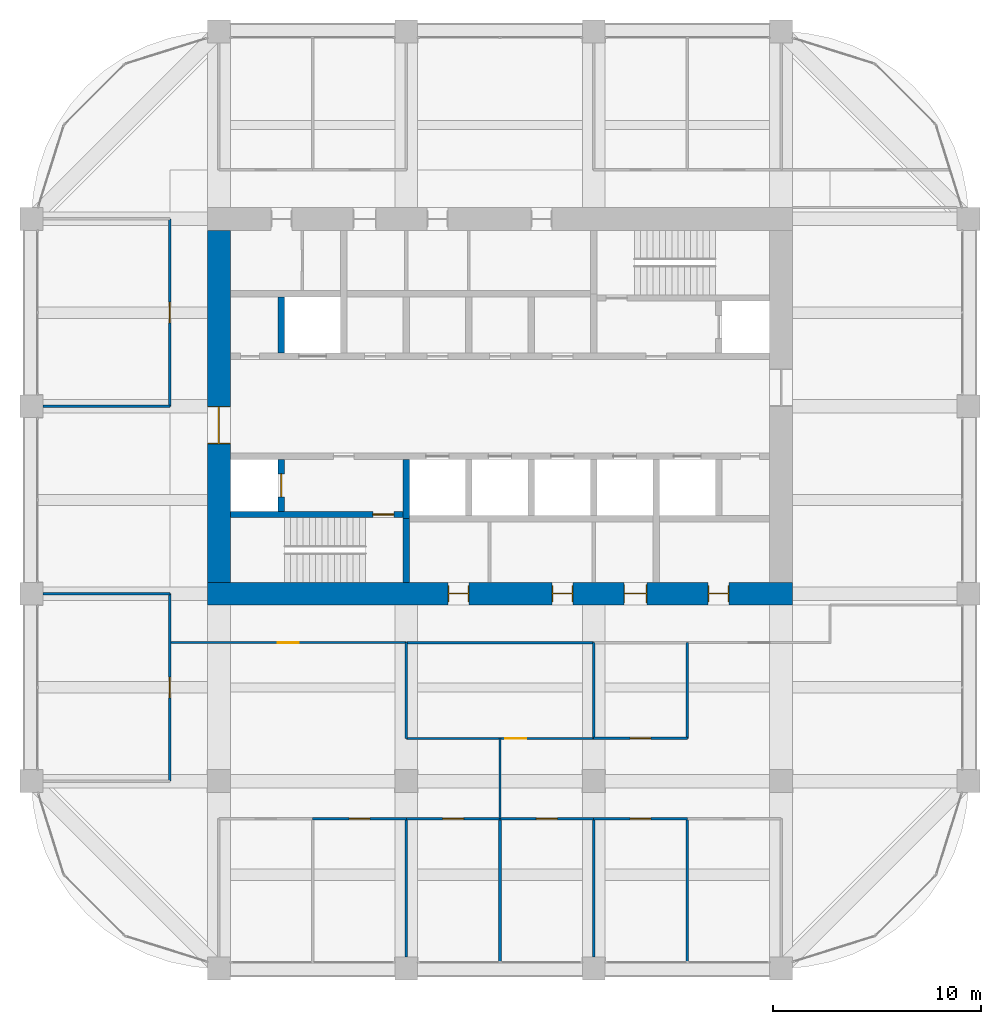
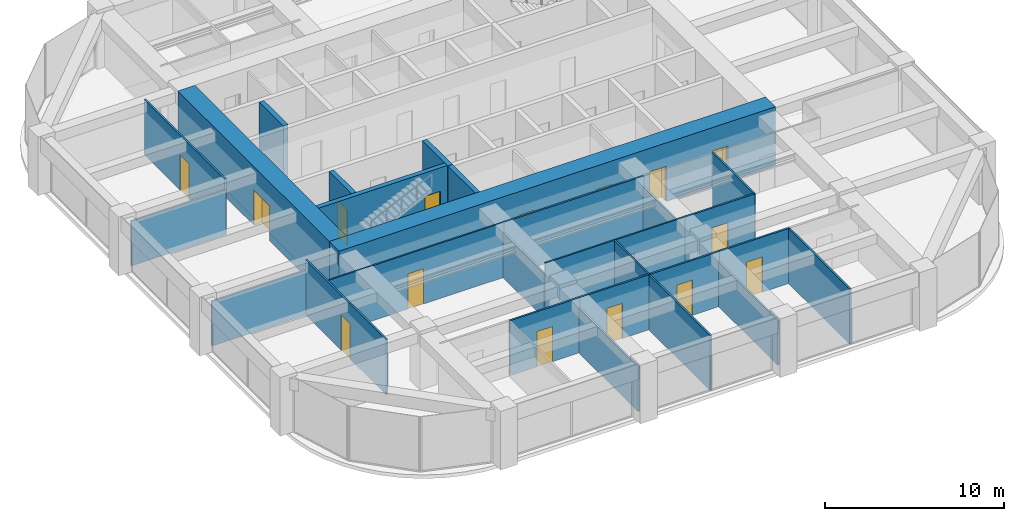
# One storey, part 41 of 44: 27 walls, 16 doors, 16 openings.
"""IFC4 building model written with IfcOpenShell, lengths in metres."""

import ifcopenshell
import ifcopenshell.guid

model = None  # the IFC model being written
_history = None  # IfcOwnerHistory: only IFC2X3 demands one
_inside = {}  # id of a spatial element -> (the spatial element, [elements in it])
_under = {}  # id of a project, library or spatial element -> (it, [spatial elements below it])
_declared = {}  # id of a project -> (the project, [libraries it declares])
_typed = {}  # id of a type object -> (the type object, [elements of that type])
_made_of = {}  # id of a material, layer set ... -> (it, [elements and type objects made of it])


def new_model(schema):
    """Start an empty IFC model of exactly this schema.

    Asked for "IFC4X3", IfcOpenShell would pick the latest addendum, in which some entities
    have other attributes; the version numbers below select the first issue.
    IFC2X3 requires an IfcOwnerHistory on every rooted entity: one is made here for all.
    """
    global model, _history
    if schema == "IFC4X3":
        model = ifcopenshell.file(schema_version=(4, 3, 0, 0))
    else:
        model = ifcopenshell.file(schema=schema)
    _inside.clear()
    _under.clear()
    _declared.clear()
    _typed.clear()
    _made_of.clear()
    _history = None
    if model.schema == "IFC2X3":
        org = make("IfcOrganization", Name="unknown")
        user = make(
            "IfcPersonAndOrganization",
            ThePerson=make("IfcPerson", FamilyName="unknown"),
            TheOrganization=org,
        )
        app = make(
            "IfcApplication",
            ApplicationDeveloper=org,
            Version="unknown",
            ApplicationFullName="unknown",
            ApplicationIdentifier="unknown",
        )
        _history = make(
            "IfcOwnerHistory",
            OwningUser=user,
            OwningApplication=app,
            ChangeAction="ADDED",
            CreationDate=0,
        )
    return model


def make(cls, **values):
    """One entity of the class cls with the attributes given. An attribute that is None is left unset."""
    return model.create_entity(
        cls, **{name: value for name, value in values.items() if value is not None}
    )


def rooted(cls, **values):
    """An entity with a GlobalId (a new one), such as an element, a storey or a relation."""
    return make(cls, GlobalId=ifcopenshell.guid.new(), OwnerHistory=_history, **values)


def si_unit(unit_type, name, prefix=None):
    """IfcSIUnit, for example si_unit("LENGTHUNIT", "METRE", prefix="MILLI")."""
    return make("IfcSIUnit", UnitType=unit_type, Prefix=prefix, Name=name)


def assignment(units):
    """IfcUnitAssignment: the units of a project."""
    return None if units is None else make("IfcUnitAssignment", Units=units)


def point(xyz):
    """IfcCartesianPoint."""
    return None if xyz is None else make("IfcCartesianPoint", Coordinates=xyz)


def direction(xyz):
    """IfcDirection."""
    return None if xyz is None else make("IfcDirection", DirectionRatios=xyz)


def frame(location, z_axis=None, x_axis=None):
    """IfcAxis2Placement3D, a coordinate frame: its origin and axes. An axis left out is left unset."""
    return make(
        "IfcAxis2Placement3D",
        Location=point(location),
        Axis=direction(z_axis),
        RefDirection=direction(x_axis),
    )


def frame_2d(location, x_axis=None):
    """IfcAxis2Placement2D, a coordinate frame in the plane: its origin and x axis."""
    return make(
        "IfcAxis2Placement2D", Location=point(location), RefDirection=direction(x_axis)
    )


def origin():
    """The frame at (0, 0, 0) with its axes left unset."""
    return frame((0.0, 0.0, 0.0))


def place(relative_to, where):
    """IfcLocalPlacement: puts the frame where relative to a parent placement (None: the world)."""
    return make(
        "IfcLocalPlacement", PlacementRelTo=relative_to, RelativePlacement=where
    )


def context(
    kind, dimensions, precision=None, world=None, true_north=None, identifier=None
):
    """IfcGeometricRepresentationContext, for example the 3D "Model" context."""
    return make(
        "IfcGeometricRepresentationContext",
        ContextIdentifier=identifier,
        ContextType=kind,
        CoordinateSpaceDimension=dimensions,
        Precision=precision,
        WorldCoordinateSystem=world,
        TrueNorth=true_north,
    )


def subcontext(parent, identifier, kind, view, scale=None):
    """IfcGeometricRepresentationSubContext, for example "Body" below "Model"."""
    return make(
        "IfcGeometricRepresentationSubContext",
        ContextIdentifier=identifier,
        ContextType=kind,
        ParentContext=parent,
        TargetScale=scale,
        TargetView=view,
    )


def project(units=None, contexts=None):
    """IfcProject with its units and contexts."""
    return rooted(
        "IfcProject",
        Name="project",
        RepresentationContexts=contexts,
        UnitsInContext=assignment(units),
    )


def spatial(cls, under=None, at=None, **own):
    """A site, building, storey or space (cls), placed at a placement, below another one or the project."""
    s = rooted(cls, ObjectPlacement=at, **own)
    if under is not None:
        _under.setdefault(under.id(), (under, []))[1].append(s)
    return s


def profile(cls, at=None, kind="AREA", **sizes):
    """A parametric profile (cls). Its sizes go by their IFC names, for example OverallWidth=200.0."""
    return make(cls, ProfileType=kind, Position=at, **sizes)


def rectangle(**sizes):
    """IfcRectangleProfileDef."""
    return profile("IfcRectangleProfileDef", **sizes)


def extrude(swept, where, along, depth):
    """IfcExtrudedAreaSolid: the profile swept, set in the frame where, extruded along a direction by depth."""
    return make(
        "IfcExtrudedAreaSolid",
        SweptArea=swept,
        Position=where,
        ExtrudedDirection=direction(along),
        Depth=depth,
    )


def shape(context_of_items, identifier, shape_type, items):
    """IfcShapeRepresentation: the items that make up one representation, for example the "Body"."""
    return make(
        "IfcShapeRepresentation",
        ContextOfItems=context_of_items,
        RepresentationIdentifier=identifier,
        RepresentationType=shape_type,
        Items=items,
    )


def material(Name=None, Category=None):
    """IfcMaterial."""
    return make("IfcMaterial", Name=Name, Category=Category)


def layer(
    of_material, thickness, ventilated=None, Name=None, Category=None, Priority=None
):
    """IfcMaterialLayer: one layer of a wall or slab, of a material (None: an air gap)."""
    return make(
        "IfcMaterialLayer",
        Material=of_material,
        LayerThickness=thickness,
        IsVentilated=ventilated,
        Name=Name,
        Category=Category,
        Priority=Priority,
    )


def layer_set(layers, Name=None):
    """IfcMaterialLayerSet."""
    return make("IfcMaterialLayerSet", MaterialLayers=layers, LayerSetName=Name)


def made_of(thing, what):
    """Note that an element or type object is made of a material, layer set ...; save() writes the relation."""
    if what is not None:
        _made_of.setdefault(what.id(), (what, []))[1].append(thing)
    return thing


def type_object(cls, material=None, **own):
    """A type object (cls), such as IfcWallType, which elements share."""
    return made_of(rooted(cls, **own), material)


def element(
    cls,
    number,
    at=None,
    inside=None,
    cuts=None,
    type_object=None,
    material=None,
    context=None,
    identifier="Body",
    shape_type=None,
    held_by="IfcProductDefinitionShape",
    body=None,
    shapes=None,
    **own,
):
    """One element of the class cls, such as IfcWall. Its Tag is "e" and its number.

    at: its placement. inside: the storey or other place that contains it. cuts: it is an
    opening in that element (IfcRelVoidsElement). A single representation is given by context,
    identifier, shape_type and body (its items); several are given by shapes. held_by: the class
    of the entity that holds the representations. save() writes the other relations.
    """
    e = rooted(cls, Tag="e%d" % number, ObjectPlacement=at, **own)
    if body is not None:
        shapes = [shape(context, identifier, shape_type, body)]
    if shapes is not None:
        e.Representation = make(held_by, Representations=shapes)
    if inside is not None:
        _inside.setdefault(inside.id(), (inside, []))[1].append(e)
    if cuts is not None:
        rooted(
            "IfcRelVoidsElement", RelatingBuildingElement=cuts, RelatedOpeningElement=e
        )
    if type_object is not None:
        _typed.setdefault(type_object.id(), (type_object, []))[1].append(e)
    return made_of(e, material)


def fill(opening, filler):
    """IfcRelFillsElement: the door or window that sits in an opening."""
    return rooted(
        "IfcRelFillsElement",
        RelatingOpeningElement=opening,
        RelatedBuildingElement=filler,
    )


def aggregate(whole, parts):
    """IfcRelAggregates: a whole, such as a stair, and the parts it consists of."""
    return rooted("IfcRelAggregates", RelatingObject=whole, RelatedObjects=parts)


def save(model, path):
    """Write the relations noted so far, then the file.

    IfcRelAggregates (storeys below a building ...), IfcRelContainedInSpatialStructure (elements
    in a storey), IfcRelDefinesByType, IfcRelAssociatesMaterial and IfcRelDeclares: one each for
    every whole, place, type object, material and project.
    """
    for whole, parts in _under.values():
        aggregate(whole, parts)
    for where, things in _inside.values():
        rooted(
            "IfcRelContainedInSpatialStructure",
            RelatedElements=things,
            RelatingStructure=where,
        )
    for kind, things in _typed.values():
        rooted("IfcRelDefinesByType", RelatedObjects=things, RelatingType=kind)
    for what, things in _made_of.values():
        rooted("IfcRelAssociatesMaterial", RelatedObjects=things, RelatingMaterial=what)
    for by, libraries in _declared.values():
        rooted("IfcRelDeclares", RelatingContext=by, RelatedDefinitions=libraries)
    model.write(path)


model = new_model("IFC4")

# Units and contexts
model_context = context("Model", 3, precision=1e-05, world=origin(), true_north=direction((0.0, 1.0)))
body_context = subcontext(model_context, "Body", "Model", "MODEL_VIEW")
ifc_project = project(units=[si_unit("LENGTHUNIT", "METRE"), si_unit("AREAUNIT", "SQUARE_METRE"), si_unit("VOLUMEUNIT", "CUBIC_METRE"), si_unit("PLANEANGLEUNIT", "RADIAN"), si_unit("MASSUNIT", "GRAM", prefix="KILO")], contexts=[model_context])

# Site, building, storey
site_placement = place(None, origin())
site = spatial("IfcSite", under=ifc_project, at=site_placement, CompositionType="ELEMENT")
building_placement = place(site_placement, origin())
building = spatial("IfcBuilding", under=site, at=building_placement, Name="Zorevar Civic Tower", CompositionType="ELEMENT")
storey_placement = place(building_placement, frame((0.0, 0.0, 283.39990234375)))
storey = spatial("IfcBuildingStorey", under=building, at=storey_placement, Name="L69", CompositionType="ELEMENT", Elevation=283.39990234375)

# Wall, openings, doors
ifc_material_1 = material(Name="Concrete C50/60", Category="concrete")
ifc_layer_1 = layer(ifc_material_1, 1.10009765625)
ifc_layer_set_1 = layer_set([ifc_layer_1], Name="Core wall 1100")
wall_type_1 = type_object("IfcWallType", Name="Core wall 1100", PredefinedType="SHEAR", material=ifc_layer_set_1)
wall_1_placement = place(storey_placement, frame((17.449951171875, 18.0, 0.0), z_axis=(0.0, 0.0, 1.0), x_axis=(1.0, 0.0, 0.0)))
wall_1 = element("IfcWall", 1, at=wall_1_placement, inside=storey, type_object=wall_type_1, Name="Core wall S L69", PredefinedType="SHEAR", context=body_context, shape_type="SweptSolid", body=[
    extrude(rectangle(XDim=28.10009765625, YDim=1.10009765625, at=frame_2d((14.050048828125, 0.0))), origin(), (0.0, 0.0, 1.0), 4.0),
])
opening_1_placement = place(wall_1_placement, frame((11.550048828125, 0.0, 0.0)))
opening_1 = element("IfcOpeningElement", 2, at=opening_1_placement, cuts=wall_1, Name="Opening L69.03", PredefinedType="OPENING", context=body_context, shape_type="SweptSolid", body=[
    extrude(rectangle(XDim=1.0, YDim=2.39990234375, at=frame_2d((0.5, 1.199951171875))), frame((0.0, 0.56005859375, 0.0), z_axis=(0.0, -1.0, 0.0), x_axis=(1.0, 0.0, 0.0)), (0.0, 0.0, 1.0), 1.1201171875),
])
opening_2_placement = place(wall_1_placement, frame((16.550048828125, 0.0, 0.0)))
opening_2 = element("IfcOpeningElement", 3, at=opening_2_placement, cuts=wall_1, Name="Opening L69.04", PredefinedType="OPENING", context=body_context, shape_type="SweptSolid", body=[
    extrude(rectangle(XDim=1.0, YDim=2.39990234375, at=frame_2d((0.5, 1.199951171875))), frame((0.0, 0.56005859375, 0.0), z_axis=(0.0, -1.0, 0.0), x_axis=(1.0, 0.0, 0.0)), (0.0, 0.0, 1.0), 1.1201171875),
])
opening_3_placement = place(wall_1_placement, frame((20.0, 0.0, 0.0)))
opening_3 = element("IfcOpeningElement", 4, at=opening_3_placement, cuts=wall_1, Name="Opening L69.05", PredefinedType="OPENING", context=body_context, shape_type="SweptSolid", body=[
    extrude(rectangle(XDim=1.10009765625, YDim=2.39990234375, at=frame_2d((0.550048828125, 1.199951171875))), frame((0.0, 0.56005859375, 0.0), z_axis=(0.0, -1.0, 0.0), x_axis=(1.0, 0.0, 0.0)), (0.0, 0.0, 1.0), 1.1201171875),
])
opening_4_placement = place(wall_1_placement, frame((24.050048828125, 0.0, 0.0)))
opening_4 = element("IfcOpeningElement", 5, at=opening_4_placement, cuts=wall_1, Name="Opening L69.06", PredefinedType="OPENING", context=body_context, shape_type="SweptSolid", body=[
    extrude(rectangle(XDim=1.0, YDim=2.39990234375, at=frame_2d((0.5, 1.199951171875))), frame((0.0, 0.56005859375, 0.0), z_axis=(0.0, -1.0, 0.0), x_axis=(1.0, 0.0, 0.0)), (0.0, 0.0, 1.0), 1.1201171875),
])
ifc_material_2 = material(Name="Timber door set", Category="wood")
door_type_1 = type_object("IfcDoorType", Name="Door D1 1000x2400", OperationType="SINGLE_SWING_LEFT", PredefinedType="DOOR", material=ifc_material_2)
door_1_placement = place(opening_1_placement, origin())
door_1 = element("IfcDoor", 6, at=door_1_placement, inside=storey, type_object=door_type_1, Name="Door L69 02", OperationType="SINGLE_SWING_LEFT", OverallHeight=2.39990234375, OverallWidth=1.0, PredefinedType="DOOR", context=body_context, shape_type="SweptSolid", body=[
    extrude(rectangle(XDim=1.0, YDim=2.39990234375, at=frame_2d((0.5, 1.199951171875))), frame((0.0, 0.02490234375, 0.0), z_axis=(0.0, -1.0, 0.0), x_axis=(1.0, 0.0, 0.0)), (0.0, 0.0, 1.0), 0.050048828125),
    extrude(rectangle(XDim=0.04, YDim=2.39990234375, at=frame_2d((0.02001953125, 1.199951171875))), frame((0.0, 0.39990234375, 0.0), z_axis=(0.0, -1.0, 0.0), x_axis=(1.0, 0.0, 0.0)), (0.0, 0.0, 1.0), 0.800048828125),
    extrude(rectangle(XDim=0.04, YDim=2.39990234375, at=frame_2d((0.97998046875, 1.199951171875))), frame((0.0, 0.39990234375, 0.0), z_axis=(0.0, -1.0, 0.0), x_axis=(1.0, 0.0, 0.0)), (0.0, 0.0, 1.0), 0.800048828125),
    extrude(rectangle(XDim=1.0, YDim=0.04, at=frame_2d((0.5, 2.3798828125))), frame((0.0, 0.39990234375, 0.0), z_axis=(0.0, -1.0, 0.0), x_axis=(1.0, 0.0, 0.0)), (0.0, 0.0, 1.0), 0.800048828125),
])
fill(opening_1, door_1)
door_2_placement = place(opening_2_placement, origin())
door_2 = element("IfcDoor", 7, at=door_2_placement, inside=storey, type_object=door_type_1, Name="Door L69 03", OperationType="SINGLE_SWING_RIGHT", OverallHeight=2.39990234375, OverallWidth=1.0, PredefinedType="DOOR", context=body_context, shape_type="SweptSolid", body=[
    extrude(rectangle(XDim=1.0, YDim=2.39990234375, at=frame_2d((0.5, 1.199951171875))), frame((0.0, 0.02490234375, 0.0), z_axis=(0.0, -1.0, 0.0), x_axis=(1.0, 0.0, 0.0)), (0.0, 0.0, 1.0), 0.050048828125),
    extrude(rectangle(XDim=0.04, YDim=2.39990234375, at=frame_2d((0.02001953125, 1.199951171875))), frame((0.0, 0.39990234375, 0.0), z_axis=(0.0, -1.0, 0.0), x_axis=(1.0, 0.0, 0.0)), (0.0, 0.0, 1.0), 0.800048828125),
    extrude(rectangle(XDim=0.04, YDim=2.39990234375, at=frame_2d((0.97998046875, 1.199951171875))), frame((0.0, 0.39990234375, 0.0), z_axis=(0.0, -1.0, 0.0), x_axis=(1.0, 0.0, 0.0)), (0.0, 0.0, 1.0), 0.800048828125),
    extrude(rectangle(XDim=1.0, YDim=0.04, at=frame_2d((0.5, 2.3798828125))), frame((0.0, 0.39990234375, 0.0), z_axis=(0.0, -1.0, 0.0), x_axis=(1.0, 0.0, 0.0)), (0.0, 0.0, 1.0), 0.800048828125),
])
fill(opening_2, door_2)
door_3_placement = place(opening_4_placement, origin())
door_3 = element("IfcDoor", 8, at=door_3_placement, inside=storey, type_object=door_type_1, Name="Door L69 05", OperationType="SINGLE_SWING_RIGHT", OverallHeight=2.39990234375, OverallWidth=1.0, PredefinedType="DOOR", context=body_context, shape_type="SweptSolid", body=[
    extrude(rectangle(XDim=1.0, YDim=2.39990234375, at=frame_2d((0.5, 1.199951171875))), frame((0.0, 0.02490234375, 0.0), z_axis=(0.0, -1.0, 0.0), x_axis=(1.0, 0.0, 0.0)), (0.0, 0.0, 1.0), 0.050048828125),
    extrude(rectangle(XDim=0.04, YDim=2.39990234375, at=frame_2d((0.02001953125, 1.199951171875))), frame((0.0, 0.39990234375, 0.0), z_axis=(0.0, -1.0, 0.0), x_axis=(1.0, 0.0, 0.0)), (0.0, 0.0, 1.0), 0.800048828125),
    extrude(rectangle(XDim=0.04, YDim=2.39990234375, at=frame_2d((0.97998046875, 1.199951171875))), frame((0.0, 0.39990234375, 0.0), z_axis=(0.0, -1.0, 0.0), x_axis=(1.0, 0.0, 0.0)), (0.0, 0.0, 1.0), 0.800048828125),
    extrude(rectangle(XDim=1.0, YDim=0.04, at=frame_2d((0.5, 2.3798828125))), frame((0.0, 0.39990234375, 0.0), z_axis=(0.0, -1.0, 0.0), x_axis=(1.0, 0.0, 0.0)), (0.0, 0.0, 1.0), 0.800048828125),
])
fill(opening_4, door_3)
ifc_material_3 = material(Name="Timber door set", Category="wood")
door_type_2 = type_object("IfcDoorType", Name="Door D5 1100x2400", OperationType="SINGLE_SWING_LEFT", PredefinedType="DOOR", material=ifc_material_3)
door_4_placement = place(opening_3_placement, origin())
door_4 = element("IfcDoor", 9, at=door_4_placement, inside=storey, type_object=door_type_2, Name="Door L69 04", OperationType="SINGLE_SWING_RIGHT", OverallHeight=2.39990234375, OverallWidth=1.10009765625, PredefinedType="DOOR", context=body_context, shape_type="SweptSolid", body=[
    extrude(rectangle(XDim=1.10009765625, YDim=2.39990234375, at=frame_2d((0.550048828125, 1.199951171875))), frame((0.0, 0.02490234375, 0.0), z_axis=(0.0, -1.0, 0.0), x_axis=(1.0, 0.0, 0.0)), (0.0, 0.0, 1.0), 0.050048828125),
    extrude(rectangle(XDim=0.04, YDim=2.39990234375, at=frame_2d((0.02001953125, 1.199951171875))), frame((0.0, 0.43994140625, 0.0), z_axis=(0.0, -1.0, 0.0), x_axis=(1.0, 0.0, 0.0)), (0.0, 0.0, 1.0), 0.880126953125),
    extrude(rectangle(XDim=0.04, YDim=2.39990234375, at=frame_2d((1.080078125, 1.199951171875))), frame((0.0, 0.43994140625, 0.0), z_axis=(0.0, -1.0, 0.0), x_axis=(1.0, 0.0, 0.0)), (0.0, 0.0, 1.0), 0.880126953125),
    extrude(rectangle(XDim=1.10009765625, YDim=0.04, at=frame_2d((0.550048828125, 2.3798828125))), frame((0.0, 0.43994140625, 0.0), z_axis=(0.0, -1.0, 0.0), x_axis=(1.0, 0.0, 0.0)), (0.0, 0.0, 1.0), 0.880126953125),
])
fill(opening_3, door_4)

# Wall, opening, door
wall_2_placement = place(storey_placement, frame((18.0, 35.449951171875, 0.0), z_axis=(0.0, 0.0, 1.0), x_axis=(0.0, -1.0, 0.0)))
wall_2 = element("IfcWall", 10, at=wall_2_placement, inside=storey, type_object=wall_type_1, Name="Core wall W L69", PredefinedType="SHEAR", context=body_context, shape_type="SweptSolid", body=[
    extrude(rectangle(XDim=16.89990234375, YDim=1.10009765625, at=frame_2d((8.449951171875, 0.0))), origin(), (0.0, 0.0, 1.0), 4.0),
])
opening_5_placement = place(wall_2_placement, frame((8.449951171875, 0.0, 0.0)))
opening_5 = element("IfcOpeningElement", 11, at=opening_5_placement, cuts=wall_2, Name="Opening L69.01", PredefinedType="OPENING", context=body_context, shape_type="SweptSolid", body=[
    extrude(rectangle(XDim=1.800048828125, YDim=2.39990234375, at=frame_2d((0.89990234375, 1.199951171875))), frame((0.0, 0.56005859375, 0.0), z_axis=(0.0, -1.0, 0.0), x_axis=(1.0, 0.0, 0.0)), (0.0, 0.0, 1.0), 1.1201171875),
])
ifc_material_4 = material(Name="Steel door set", Category="steel")
door_type_3 = type_object("IfcDoorType", Name="Fire door FD2 1800x2400", OperationType="DOUBLE_DOOR_DOUBLE_SWING", PredefinedType="DOOR", material=ifc_material_4)
door_5_placement = place(opening_5_placement, origin())
door_5 = element("IfcDoor", 12, at=door_5_placement, inside=storey, type_object=door_type_3, Name="Door L69 00", OperationType="DOUBLE_DOOR_DOUBLE_SWING", OverallHeight=2.39990234375, OverallWidth=1.800048828125, PredefinedType="DOOR", context=body_context, shape_type="SweptSolid", body=[
    extrude(rectangle(XDim=1.800048828125, YDim=2.39990234375, at=frame_2d((0.89990234375, 1.199951171875))), frame((0.0, 0.030029296875, 0.0), z_axis=(0.0, -1.0, 0.0), x_axis=(1.0, 0.0, 0.0)), (0.0, 0.0, 1.0), 0.06005859375),
    extrude(rectangle(XDim=0.04, YDim=2.39990234375, at=frame_2d((0.02001953125, 1.199951171875))), frame((0.0, 0.5498046875, 0.0), z_axis=(0.0, -1.0, 0.0), x_axis=(1.0, 0.0, 0.0)), (0.0, 0.0, 1.0), 1.099609375),
    extrude(rectangle(XDim=0.04, YDim=2.39990234375, at=frame_2d((1.780029296875, 1.199951171875))), frame((0.0, 0.5498046875, 0.0), z_axis=(0.0, -1.0, 0.0), x_axis=(1.0, 0.0, 0.0)), (0.0, 0.0, 1.0), 1.099609375),
    extrude(rectangle(XDim=1.800048828125, YDim=0.04, at=frame_2d((0.89990234375, 2.3798828125))), frame((0.0, 0.5498046875, 0.0), z_axis=(0.0, -1.0, 0.0), x_axis=(1.0, 0.0, 0.0)), (0.0, 0.0, 1.0), 1.099609375),
])
fill(opening_5, door_5)

ifc_material_5 = material(Name="Laminated glass in black aluminium frame", Category="aluminium")
ifc_layer_2 = layer(ifc_material_5, 0.10009765625)
ifc_layer_set_2 = layer_set([ifc_layer_2], Name="Glazed partition 100")
wall_type_2 = type_object("IfcWallType", Name="Glazed partition 100", PredefinedType="PARTITIONING", material=ifc_layer_set_2)
wall_3_placement = place(storey_placement, frame((27.0, 11.050048828125, 0.0), z_axis=(0.0, 0.0, 1.0), x_axis=(1.0, 0.0, 0.0)))
wall_3 = element("IfcWall", 13, at=wall_3_placement, inside=storey, type_object=wall_type_2, Name="Glazed partition 100 L69", PredefinedType="PARTITIONING", context=body_context, shape_type="SweptSolid", body=[
    extrude(rectangle(XDim=9.0, YDim=0.10009765625, at=frame_2d((4.5, 0.0))), origin(), (0.0, 0.0, 1.0), 3.75),
])
opening_6_placement = place(wall_3_placement, frame((4.75, 0.0, 0.0)))
opening_6 = element("IfcOpeningElement", 14, at=opening_6_placement, cuts=wall_3, Name="Opening L69.24", PredefinedType="OPENING", context=body_context, shape_type="SweptSolid", body=[
    extrude(rectangle(XDim=1.0, YDim=2.39990234375, at=frame_2d((0.5, 1.199951171875))), frame((0.0, 0.06005859375, 0.0), z_axis=(0.0, -1.0, 0.0), x_axis=(1.0, 0.0, 0.0)), (0.0, 0.0, 1.0), 0.1201171875),
])
ifc_material_6 = material(Name="Timber door set", Category="wood")
door_type_4 = type_object("IfcDoorType", Name="Glazed door GD1 1000x2400", OperationType="SINGLE_SWING_LEFT", PredefinedType="DOOR", material=ifc_material_6)
door_6_placement = place(opening_6_placement, origin())
door_6 = element("IfcDoor", 15, at=door_6_placement, inside=storey, type_object=door_type_4, Name="Door L69 D1", OperationType="SINGLE_SWING_RIGHT", OverallHeight=2.39990234375, OverallWidth=1.0, PredefinedType="DOOR", context=body_context, shape_type="SweptSolid", body=[
    extrude(rectangle(XDim=1.0, YDim=2.39990234375, at=frame_2d((0.5, 1.199951171875))), frame((0.0, 0.02001953125, 0.0), z_axis=(0.0, -1.0, 0.0), x_axis=(1.0, 0.0, 0.0)), (0.0, 0.0, 1.0), 0.0400390625),
])
fill(opening_6, door_6)

wall_4_placement = place(storey_placement, frame((15.659912109375, 15.64990234375, 0.0), z_axis=(0.0, 0.0, 1.0), x_axis=(1.0, 0.0, 0.0)))
wall_4 = element("IfcWall", 16, at=wall_4_placement, inside=storey, type_object=wall_type_2, Name="Glazed partition 100 L69", PredefinedType="PARTITIONING", context=body_context, shape_type="SweptSolid", body=[
    extrude(rectangle(XDim=11.330078125, YDim=0.10009765625, at=frame_2d((5.6650390625, 0.0))), origin(), (0.0, 0.0, 1.0), 3.75),
])
opening_7_placement = place(wall_4_placement, frame((5.1650390625, 0.0, 0.0)))
opening_7 = element("IfcOpeningElement", 17, at=opening_7_placement, cuts=wall_4, Name="Opening L69.26", PredefinedType="OPENING", context=body_context, shape_type="SweptSolid", body=[
    extrude(rectangle(XDim=1.0, YDim=2.39990234375, at=frame_2d((0.5, 1.199951171875))), frame((0.0, 0.06005859375, 0.0), z_axis=(0.0, -1.0, 0.0), x_axis=(1.0, 0.0, 0.0)), (0.0, 0.0, 1.0), 0.1201171875),
])
door_7_placement = place(opening_7_placement, origin())
door_7 = element("IfcDoor", 18, at=door_7_placement, inside=storey, type_object=door_type_4, Name="Door L69 D1", OperationType="SINGLE_SWING_RIGHT", OverallHeight=2.39990234375, OverallWidth=1.0, PredefinedType="DOOR", context=body_context, shape_type="SweptSolid", body=[
    extrude(rectangle(XDim=1.0, YDim=2.39990234375, at=frame_2d((0.5, 1.199951171875))), frame((0.0, 0.02001953125, 0.0), z_axis=(0.0, -1.0, 0.0), x_axis=(1.0, 0.0, 0.0)), (0.0, 0.0, 1.0), 0.0400390625),
])
fill(opening_7, door_7)

# Wall
wall_5_placement = place(storey_placement, frame((31.5, 7.199951171875, 0.0), z_axis=(0.0, 0.0, 1.0), x_axis=(0.0, 1.0, 0.0)))
element("IfcWall", 19, at=wall_5_placement, inside=storey, type_object=wall_type_2, Name="Glazed partition 100 L69", PredefinedType="PARTITIONING", context=body_context, shape_type="SweptSolid", body=[
    extrude(rectangle(XDim=3.860107421875, YDim=0.10009765625, at=frame_2d((1.93017578125, 0.0))), origin(), (0.0, 0.0, 1.0), 3.75),
])

# Wall, opening, door
ifc_material_7 = material(Name="Concrete C40/50", Category="concrete")
ifc_layer_3 = layer(ifc_material_7, 0.300048828125)
ifc_layer_set_3 = layer_set([ifc_layer_3], Name="Inner core wall 300")
wall_type_3 = type_object("IfcWallType", Name="Inner core wall 300", PredefinedType="SHEAR", material=ifc_layer_set_3)
wall_6_placement = place(storey_placement, frame((18.550048828125, 21.800048828125, 0.0), z_axis=(0.0, 0.0, 1.0), x_axis=(1.0, 0.0, 0.0)))
wall_6 = element("IfcWall", 20, at=wall_6_placement, inside=storey, type_object=wall_type_3, Name="Inner core wall S00 L69", PredefinedType="SHEAR", context=body_context, shape_type="SweptSolid", body=[
    extrude(rectangle(XDim=8.300048828125, YDim=0.300048828125, at=frame_2d((4.14990234375, 0.0))), origin(), (0.0, 0.0, 1.0), 4.0),
])
opening_8_placement = place(wall_6_placement, frame((6.85009765625, 0.0, 0.0)))
opening_8 = element("IfcOpeningElement", 21, at=opening_8_placement, cuts=wall_6, Name="Opening L69.11", PredefinedType="OPENING", context=body_context, shape_type="SweptSolid", body=[
    extrude(rectangle(XDim=1.0, YDim=2.39990234375, at=frame_2d((0.5, 1.199951171875))), frame((0.0, 0.159912109375, 0.0), z_axis=(0.0, -1.0, 0.0), x_axis=(1.0, 0.0, 0.0)), (0.0, 0.0, 1.0), 0.320068359375),
])
ifc_material_8 = material(Name="Steel door set", Category="steel")
door_type_5 = type_object("IfcDoorType", Name="Fire door FD1 1000x2400", OperationType="SINGLE_SWING_LEFT", PredefinedType="DOOR", material=ifc_material_8)
door_8_placement = place(opening_8_placement, origin())
door_8 = element("IfcDoor", 22, at=door_8_placement, inside=storey, type_object=door_type_5, Name="Door L69 10", OperationType="SINGLE_SWING_RIGHT", OverallHeight=2.39990234375, OverallWidth=1.0, PredefinedType="DOOR", context=body_context, shape_type="SweptSolid", body=[
    extrude(rectangle(XDim=1.0, YDim=2.39990234375, at=frame_2d((0.5, 1.199951171875))), frame((0.0, 0.030029296875, 0.0), z_axis=(0.0, -1.0, 0.0), x_axis=(1.0, 0.0, 0.0)), (0.0, 0.0, 1.0), 0.06005859375),
])
fill(opening_8, door_8)

# Wall
wall_7_placement = place(storey_placement, frame((27.0, 18.550048828125, 0.0), z_axis=(0.0, 0.0, 1.0), x_axis=(0.0, 1.0, 0.0)))
element("IfcWall", 23, at=wall_7_placement, inside=storey, type_object=wall_type_3, Name="Inner core wall S01 L69", PredefinedType="SHEAR", context=body_context, shape_type="SweptSolid", body=[
    extrude(rectangle(XDim=3.050048828125, YDim=0.300048828125, at=frame_2d((1.52490234375, 0.0))), origin(), (0.0, 0.0, 1.0), 4.0),
])

# Wall, opening, door
wall_8_placement = place(storey_placement, frame((21.0, 21.949951171875, 0.0), z_axis=(0.0, 0.0, 1.0), x_axis=(0.0, 1.0, 0.0)))
wall_8 = element("IfcWall", 24, at=wall_8_placement, inside=storey, type_object=wall_type_3, Name="Inner core wall S02 L69", PredefinedType="SHEAR", context=body_context, shape_type="SweptSolid", body=[
    extrude(rectangle(XDim=2.5, YDim=0.300048828125, at=frame_2d((1.25, 0.0))), origin(), (0.0, 0.0, 1.0), 4.0),
])
opening_9_placement = place(wall_8_placement, frame((0.699951171875, 0.0, 0.0)))
opening_9 = element("IfcOpeningElement", 25, at=opening_9_placement, cuts=wall_8, Name="Opening L69.FL1", PredefinedType="OPENING", context=body_context, shape_type="SweptSolid", body=[
    extrude(rectangle(XDim=1.10009765625, YDim=2.39990234375, at=frame_2d((0.550048828125, 1.199951171875))), frame((0.0, 0.159912109375, 0.0), z_axis=(0.0, -1.0, 0.0), x_axis=(1.0, 0.0, 0.0)), (0.0, 0.0, 1.0), 0.320068359375),
])
ifc_material_9 = material(Name="Steel door set", Category="steel")
door_type_6 = type_object("IfcDoorType", Name="Firefighting lift landing door LD3 1100x2400", OperationType="DOUBLE_DOOR_SLIDING", PredefinedType="DOOR", material=ifc_material_9)
door_9_placement = place(opening_9_placement, origin())
door_9 = element("IfcDoor", 26, at=door_9_placement, inside=storey, type_object=door_type_6, Name="Landing door FL1 L69", OperationType="DOUBLE_DOOR_SLIDING", OverallHeight=2.39990234375, OverallWidth=1.10009765625, PredefinedType="DOOR", context=body_context, shape_type="SweptSolid", body=[
    extrude(rectangle(XDim=1.10009765625, YDim=2.39990234375, at=frame_2d((0.550048828125, 1.199951171875))), frame((0.0, 0.030029296875, 0.0), z_axis=(0.0, -1.0, 0.0), x_axis=(1.0, 0.0, 0.0)), (0.0, 0.0, 1.0), 0.06005859375),
])
fill(opening_9, door_9)

# Walls
wall_9_placement = place(storey_placement, frame((21.0, 29.550048828125, 0.0), z_axis=(0.0, 0.0, 1.0), x_axis=(0.0, 1.0, 0.0)))
element("IfcWall", 27, at=wall_9_placement, inside=storey, type_object=wall_type_3, Name="Inner core wall N09 L69", PredefinedType="SHEAR", context=body_context, shape_type="SweptSolid", body=[
    extrude(rectangle(XDim=2.699951171875, YDim=0.300048828125, at=frame_2d((1.35009765625, 0.0))), origin(), (0.0, 0.0, 1.0), 4.0),
])
wall_10_placement = place(storey_placement, frame((27.0, 21.60009765625, 0.0), z_axis=(0.0, 0.0, 1.0), x_axis=(0.0, 1.0, 0.0)))
element("IfcWall", 28, at=wall_10_placement, inside=storey, type_object=wall_type_3, Name="Inner core wall S10 L69", PredefinedType="SHEAR", context=body_context, shape_type="SweptSolid", body=[
    extrude(rectangle(XDim=2.849853515625, YDim=0.300048828125, at=frame_2d((1.4248046875, 0.0))), origin(), (0.0, 0.0, 1.0), 4.0),
])

# Wall, opening, door
ifc_material_10 = material(Name="Gypsum board on steel studs", Category="steel")
ifc_layer_4 = layer(ifc_material_10, 0.1201171875)
ifc_layer_set_4 = layer_set([ifc_layer_4], Name="Partition 120")
wall_type_4 = type_object("IfcWallType", Name="Partition 120", PredefinedType="PARTITIONING", material=ifc_layer_set_4)
wall_11_placement = place(storey_placement, frame((22.5, 7.199951171875, 0.0), z_axis=(0.0, 0.0, 1.0), x_axis=(1.0, 0.0, 0.0)))
wall_11 = element("IfcWall", 29, at=wall_11_placement, inside=storey, type_object=wall_type_4, Name="Partition 120 L69", PredefinedType="PARTITIONING", context=body_context, shape_type="SweptSolid", body=[
    extrude(rectangle(XDim=4.5, YDim=0.1201171875, at=frame_2d((2.25, 0.0))), origin(), (0.0, 0.0, 1.0), 3.75),
])
opening_10_placement = place(wall_11_placement, frame((1.75, 0.0, 0.0)))
opening_10 = element("IfcOpeningElement", 30, at=opening_10_placement, cuts=wall_11, Name="Opening L69.18", PredefinedType="OPENING", context=body_context, shape_type="SweptSolid", body=[
    extrude(rectangle(XDim=1.0, YDim=2.39990234375, at=frame_2d((0.5, 1.199951171875))), frame((0.0, 0.070068359375, 0.0), z_axis=(0.0, -1.0, 0.0), x_axis=(1.0, 0.0, 0.0)), (0.0, 0.0, 1.0), 0.14013671875),
])
door_10_placement = place(opening_10_placement, origin())
door_10 = element("IfcDoor", 31, at=door_10_placement, inside=storey, type_object=door_type_1, Name="Door L69 D1", OperationType="SINGLE_SWING_LEFT", OverallHeight=2.39990234375, OverallWidth=1.0, PredefinedType="DOOR", context=body_context, shape_type="SweptSolid", body=[
    extrude(rectangle(XDim=1.0, YDim=2.39990234375, at=frame_2d((0.5, 1.199951171875))), frame((0.0, 0.02490234375, 0.0), z_axis=(0.0, -1.0, 0.0), x_axis=(1.0, 0.0, 0.0)), (0.0, 0.0, 1.0), 0.050048828125),
])
fill(opening_10, door_10)

wall_12_placement = place(storey_placement, frame((27.0, 7.199951171875, 0.0), z_axis=(0.0, 0.0, 1.0), x_axis=(1.0, 0.0, 0.0)))
wall_12 = element("IfcWall", 32, at=wall_12_placement, inside=storey, type_object=wall_type_4, Name="Partition 120 L69", PredefinedType="PARTITIONING", context=body_context, shape_type="SweptSolid", body=[
    extrude(rectangle(XDim=4.5, YDim=0.1201171875, at=frame_2d((2.25, 0.0))), origin(), (0.0, 0.0, 1.0), 3.75),
])
opening_11_placement = place(wall_12_placement, frame((1.75, 0.0, 0.0)))
opening_11 = element("IfcOpeningElement", 33, at=opening_11_placement, cuts=wall_12, Name="Opening L69.19", PredefinedType="OPENING", context=body_context, shape_type="SweptSolid", body=[
    extrude(rectangle(XDim=1.0, YDim=2.39990234375, at=frame_2d((0.5, 1.199951171875))), frame((0.0, 0.070068359375, 0.0), z_axis=(0.0, -1.0, 0.0), x_axis=(1.0, 0.0, 0.0)), (0.0, 0.0, 1.0), 0.14013671875),
])
door_11_placement = place(opening_11_placement, origin())
door_11 = element("IfcDoor", 34, at=door_11_placement, inside=storey, type_object=door_type_1, Name="Door L69 D1", OperationType="SINGLE_SWING_LEFT", OverallHeight=2.39990234375, OverallWidth=1.0, PredefinedType="DOOR", context=body_context, shape_type="SweptSolid", body=[
    extrude(rectangle(XDim=1.0, YDim=2.39990234375, at=frame_2d((0.5, 1.199951171875))), frame((0.0, 0.02490234375, 0.0), z_axis=(0.0, -1.0, 0.0), x_axis=(1.0, 0.0, 0.0)), (0.0, 0.0, 1.0), 0.050048828125),
])
fill(opening_11, door_11)

wall_13_placement = place(storey_placement, frame((31.5, 7.199951171875, 0.0), z_axis=(0.0, 0.0, 1.0), x_axis=(1.0, 0.0, 0.0)))
wall_13 = element("IfcWall", 35, at=wall_13_placement, inside=storey, type_object=wall_type_4, Name="Partition 120 L69", PredefinedType="PARTITIONING", context=body_context, shape_type="SweptSolid", body=[
    extrude(rectangle(XDim=4.5, YDim=0.1201171875, at=frame_2d((2.25, 0.0))), origin(), (0.0, 0.0, 1.0), 3.75),
])
opening_12_placement = place(wall_13_placement, frame((1.75, 0.0, 0.0)))
opening_12 = element("IfcOpeningElement", 36, at=opening_12_placement, cuts=wall_13, Name="Opening L69.20", PredefinedType="OPENING", context=body_context, shape_type="SweptSolid", body=[
    extrude(rectangle(XDim=1.0, YDim=2.39990234375, at=frame_2d((0.5, 1.199951171875))), frame((0.0, 0.070068359375, 0.0), z_axis=(0.0, -1.0, 0.0), x_axis=(1.0, 0.0, 0.0)), (0.0, 0.0, 1.0), 0.14013671875),
])
door_12_placement = place(opening_12_placement, origin())
door_12 = element("IfcDoor", 37, at=door_12_placement, inside=storey, type_object=door_type_1, Name="Door L69 D1", OperationType="SINGLE_SWING_RIGHT", OverallHeight=2.39990234375, OverallWidth=1.0, PredefinedType="DOOR", context=body_context, shape_type="SweptSolid", body=[
    extrude(rectangle(XDim=1.0, YDim=2.39990234375, at=frame_2d((0.5, 1.199951171875))), frame((0.0, 0.02490234375, 0.0), z_axis=(0.0, -1.0, 0.0), x_axis=(1.0, 0.0, 0.0)), (0.0, 0.0, 1.0), 0.050048828125),
])
fill(opening_12, door_12)

wall_14_placement = place(storey_placement, frame((36.0, 7.199951171875, 0.0), z_axis=(0.0, 0.0, 1.0), x_axis=(1.0, 0.0, 0.0)))
wall_14 = element("IfcWall", 38, at=wall_14_placement, inside=storey, type_object=wall_type_4, Name="Partition 120 L69", PredefinedType="PARTITIONING", context=body_context, shape_type="SweptSolid", body=[
    extrude(rectangle(XDim=4.5, YDim=0.1201171875, at=frame_2d((2.25, 0.0))), origin(), (0.0, 0.0, 1.0), 3.75),
])
opening_13_placement = place(wall_14_placement, frame((1.75, 0.0, 0.0)))
opening_13 = element("IfcOpeningElement", 39, at=opening_13_placement, cuts=wall_14, Name="Opening L69.21", PredefinedType="OPENING", context=body_context, shape_type="SweptSolid", body=[
    extrude(rectangle(XDim=1.0, YDim=2.39990234375, at=frame_2d((0.5, 1.199951171875))), frame((0.0, 0.070068359375, 0.0), z_axis=(0.0, -1.0, 0.0), x_axis=(1.0, 0.0, 0.0)), (0.0, 0.0, 1.0), 0.14013671875),
])
door_13_placement = place(opening_13_placement, origin())
door_13 = element("IfcDoor", 40, at=door_13_placement, inside=storey, type_object=door_type_1, Name="Door L69 D1", OperationType="SINGLE_SWING_RIGHT", OverallHeight=2.39990234375, OverallWidth=1.0, PredefinedType="DOOR", context=body_context, shape_type="SweptSolid", body=[
    extrude(rectangle(XDim=1.0, YDim=2.39990234375, at=frame_2d((0.5, 1.199951171875))), frame((0.0, 0.02490234375, 0.0), z_axis=(0.0, -1.0, 0.0), x_axis=(1.0, 0.0, 0.0)), (0.0, 0.0, 1.0), 0.050048828125),
])
fill(opening_13, door_13)

wall_15_placement = place(storey_placement, frame((36.0, 11.050048828125, 0.0), z_axis=(0.0, 0.0, 1.0), x_axis=(1.0, 0.0, 0.0)))
wall_15 = element("IfcWall", 41, at=wall_15_placement, inside=storey, type_object=wall_type_4, Name="Partition 120 L69", PredefinedType="PARTITIONING", context=body_context, shape_type="SweptSolid", body=[
    extrude(rectangle(XDim=4.5, YDim=0.1201171875, at=frame_2d((2.25, 0.0))), origin(), (0.0, 0.0, 1.0), 3.75),
])
opening_14_placement = place(wall_15_placement, frame((1.75, 0.0, 0.0)))
opening_14 = element("IfcOpeningElement", 42, at=opening_14_placement, cuts=wall_15, Name="Opening L69.23", PredefinedType="OPENING", context=body_context, shape_type="SweptSolid", body=[
    extrude(rectangle(XDim=1.0, YDim=2.39990234375, at=frame_2d((0.5, 1.199951171875))), frame((0.0, 0.070068359375, 0.0), z_axis=(0.0, -1.0, 0.0), x_axis=(1.0, 0.0, 0.0)), (0.0, 0.0, 1.0), 0.14013671875),
])
door_14_placement = place(opening_14_placement, origin())
door_14 = element("IfcDoor", 43, at=door_14_placement, inside=storey, type_object=door_type_1, Name="Door L69 D1", OperationType="SINGLE_SWING_LEFT", OverallHeight=2.39990234375, OverallWidth=1.0, PredefinedType="DOOR", context=body_context, shape_type="SweptSolid", body=[
    extrude(rectangle(XDim=1.0, YDim=2.39990234375, at=frame_2d((0.5, 1.199951171875))), frame((0.0, 0.02490234375, 0.0), z_axis=(0.0, -1.0, 0.0), x_axis=(1.0, 0.0, 0.0)), (0.0, 0.0, 1.0), 0.050048828125),
])
fill(opening_14, door_14)

# Walls
wall_16_placement = place(storey_placement, frame((27.0, 15.64990234375, 0.0), z_axis=(0.0, 0.0, 1.0), x_axis=(1.0, 0.0, 0.0)))
element("IfcWall", 44, at=wall_16_placement, inside=storey, type_object=wall_type_4, Name="Partition 120 L69", PredefinedType="PARTITIONING", context=body_context, shape_type="SweptSolid", body=[
    extrude(rectangle(XDim=9.0, YDim=0.1201171875, at=frame_2d((4.5, 0.0))), origin(), (0.0, 0.0, 1.0), 3.75),
])
for number, where, z_axis, x_axis, name in (
    (45, (9.550048828125, 18.0, 0.0), (0.0, 0.0, 1.0), (1.0, 0.0, 0.0), "Partition 120 L69"),
    (46, (9.550048828125, 27.0, 0.0), (0.0, 0.0, 1.0), (1.0, 0.0, 0.0), "Partition 120 L69"),
):
    element("IfcWall", number, at=place(storey_placement, frame(where, z_axis=z_axis, x_axis=x_axis)), inside=storey, type_object=wall_type_4, Name=name, PredefinedType="PARTITIONING", context=body_context, shape_type="SweptSolid", body=[
        extrude(rectangle(XDim=6.099853515625, YDim=0.1201171875, at=frame_2d((3.0498046875, 0.0))), origin(), (0.0, 0.0, 1.0), 3.050048828125),
    ])

# Wall, opening, door
wall_17_placement = place(storey_placement, frame((15.64990234375, 9.0, 0.0), z_axis=(0.0, 0.0, 1.0), x_axis=(0.0, 1.0, 0.0)))
wall_17 = element("IfcWall", 47, at=wall_17_placement, inside=storey, type_object=wall_type_4, Name="Partition 120 L69", PredefinedType="PARTITIONING", context=body_context, shape_type="SweptSolid", body=[
    extrude(rectangle(XDim=9.0, YDim=0.1201171875, at=frame_2d((4.5, 0.0))), origin(), (0.0, 0.0, 1.0), 3.75),
])
opening_15_placement = place(wall_17_placement, frame((4.0, 0.0, 0.0)))
opening_15 = element("IfcOpeningElement", 48, at=opening_15_placement, cuts=wall_17, Name="Opening L69.32", PredefinedType="OPENING", context=body_context, shape_type="SweptSolid", body=[
    extrude(rectangle(XDim=1.0, YDim=2.39990234375, at=frame_2d((0.5, 1.199951171875))), frame((0.0, 0.070068359375, 0.0), z_axis=(0.0, -1.0, 0.0), x_axis=(1.0, 0.0, 0.0)), (0.0, 0.0, 1.0), 0.14013671875),
])
door_15_placement = place(opening_15_placement, origin())
door_15 = element("IfcDoor", 49, at=door_15_placement, inside=storey, type_object=door_type_1, Name="Door L69 D1", OperationType="SINGLE_SWING_RIGHT", OverallHeight=2.39990234375, OverallWidth=1.0, PredefinedType="DOOR", context=body_context, shape_type="SweptSolid", body=[
    extrude(rectangle(XDim=1.0, YDim=2.39990234375, at=frame_2d((0.5, 1.199951171875))), frame((0.0, 0.02490234375, 0.0), z_axis=(0.0, -1.0, 0.0), x_axis=(1.0, 0.0, 0.0)), (0.0, 0.0, 1.0), 0.050048828125),
])
fill(opening_15, door_15)

wall_18_placement = place(storey_placement, frame((15.64990234375, 27.0, 0.0), z_axis=(0.0, 0.0, 1.0), x_axis=(0.0, 1.0, 0.0)))
wall_18 = element("IfcWall", 50, at=wall_18_placement, inside=storey, type_object=wall_type_4, Name="Partition 120 L69", PredefinedType="PARTITIONING", context=body_context, shape_type="SweptSolid", body=[
    extrude(rectangle(XDim=9.0, YDim=0.1201171875, at=frame_2d((4.5, 0.0))), origin(), (0.0, 0.0, 1.0), 3.75),
])
opening_16_placement = place(wall_18_placement, frame((4.0, 0.0, 0.0)))
opening_16 = element("IfcOpeningElement", 51, at=opening_16_placement, cuts=wall_18, Name="Opening L69.33", PredefinedType="OPENING", context=body_context, shape_type="SweptSolid", body=[
    extrude(rectangle(XDim=1.0, YDim=2.39990234375, at=frame_2d((0.5, 1.199951171875))), frame((0.0, 0.070068359375, 0.0), z_axis=(0.0, -1.0, 0.0), x_axis=(1.0, 0.0, 0.0)), (0.0, 0.0, 1.0), 0.14013671875),
])
door_16_placement = place(opening_16_placement, origin())
door_16 = element("IfcDoor", 52, at=door_16_placement, inside=storey, type_object=door_type_1, Name="Door L69 D1", OperationType="SINGLE_SWING_RIGHT", OverallHeight=2.39990234375, OverallWidth=1.0, PredefinedType="DOOR", context=body_context, shape_type="SweptSolid", body=[
    extrude(rectangle(XDim=1.0, YDim=2.39990234375, at=frame_2d((0.5, 1.199951171875))), frame((0.0, 0.02490234375, 0.0), z_axis=(0.0, -1.0, 0.0), x_axis=(1.0, 0.0, 0.0)), (0.0, 0.0, 1.0), 0.050048828125),
])
fill(opening_16, door_16)

# Walls
wall_19_placement = place(storey_placement, frame((27.0, 0.550048828125, 0.0), z_axis=(0.0, 0.0, 1.0), x_axis=(0.0, 1.0, 0.0)))
element("IfcWall", 53, at=wall_19_placement, inside=storey, type_object=wall_type_4, Name="Partition 120 L69", PredefinedType="PARTITIONING", context=body_context, shape_type="SweptSolid", body=[
    extrude(rectangle(XDim=6.64990234375, YDim=0.1201171875, at=frame_2d((3.324951171875, 0.0))), origin(), (0.0, 0.0, 1.0), 3.050048828125),
])
wall_20_placement = place(storey_placement, frame((27.0, 11.050048828125, 0.0), z_axis=(0.0, 0.0, 1.0), x_axis=(0.0, 1.0, 0.0)))
element("IfcWall", 54, at=wall_20_placement, inside=storey, type_object=wall_type_4, Name="Partition 120 L69", PredefinedType="PARTITIONING", context=body_context, shape_type="SweptSolid", body=[
    extrude(rectangle(XDim=4.599853515625, YDim=0.1201171875, at=frame_2d((2.2998046875, 0.0))), origin(), (0.0, 0.0, 1.0), 3.050048828125),
])
wall_21_placement = place(storey_placement, frame((31.5, 0.31005859375, 0.0), z_axis=(0.0, 0.0, 1.0), x_axis=(0.0, 1.0, 0.0)))
element("IfcWall", 55, at=wall_21_placement, inside=storey, type_object=wall_type_4, Name="Partition 120 L69", PredefinedType="PARTITIONING", context=body_context, shape_type="SweptSolid", body=[
    extrude(rectangle(XDim=6.889892578125, YDim=0.1201171875, at=frame_2d((3.44482421875, 0.0))), origin(), (0.0, 0.0, 1.0), 3.75),
])
wall_22_placement = place(storey_placement, frame((36.0, 0.550048828125, 0.0), z_axis=(0.0, 0.0, 1.0), x_axis=(0.0, 1.0, 0.0)))
element("IfcWall", 56, at=wall_22_placement, inside=storey, type_object=wall_type_4, Name="Partition 120 L69", PredefinedType="PARTITIONING", context=body_context, shape_type="SweptSolid", body=[
    extrude(rectangle(XDim=6.64990234375, YDim=0.1201171875, at=frame_2d((3.324951171875, 0.0))), origin(), (0.0, 0.0, 1.0), 3.050048828125),
])
wall_23_placement = place(storey_placement, frame((36.0, 11.050048828125, 0.0), z_axis=(0.0, 0.0, 1.0), x_axis=(0.0, 1.0, 0.0)))
element("IfcWall", 57, at=wall_23_placement, inside=storey, type_object=wall_type_4, Name="Partition 120 L69", PredefinedType="PARTITIONING", context=body_context, shape_type="SweptSolid", body=[
    extrude(rectangle(XDim=4.599853515625, YDim=0.1201171875, at=frame_2d((2.2998046875, 0.0))), origin(), (0.0, 0.0, 1.0), 3.050048828125),
])
wall_24_placement = place(storey_placement, frame((40.5, 0.31005859375, 0.0), z_axis=(0.0, 0.0, 1.0), x_axis=(0.0, 1.0, 0.0)))
element("IfcWall", 58, at=wall_24_placement, inside=storey, type_object=wall_type_4, Name="Partition 120 L69", PredefinedType="PARTITIONING", context=body_context, shape_type="SweptSolid", body=[
    extrude(rectangle(XDim=6.889892578125, YDim=0.1201171875, at=frame_2d((3.44482421875, 0.0))), origin(), (0.0, 0.0, 1.0), 3.75),
])
wall_25_placement = place(storey_placement, frame((40.5, 11.050048828125, 0.0), z_axis=(0.0, 0.0, 1.0), x_axis=(0.0, 1.0, 0.0)))
element("IfcWall", 59, at=wall_25_placement, inside=storey, type_object=wall_type_4, Name="Partition 120 L69", PredefinedType="PARTITIONING", context=body_context, shape_type="SweptSolid", body=[
    extrude(rectangle(XDim=4.599853515625, YDim=0.1201171875, at=frame_2d((2.2998046875, 0.0))), origin(), (0.0, 0.0, 1.0), 3.75),
])

save(model, "model.ifc")
